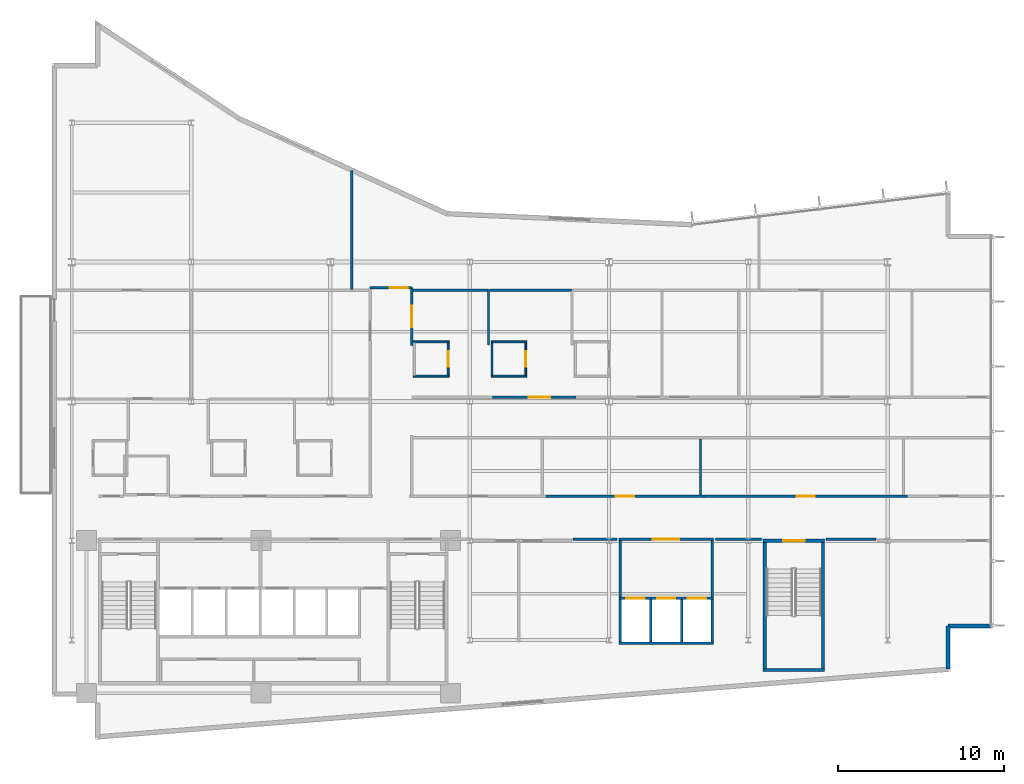
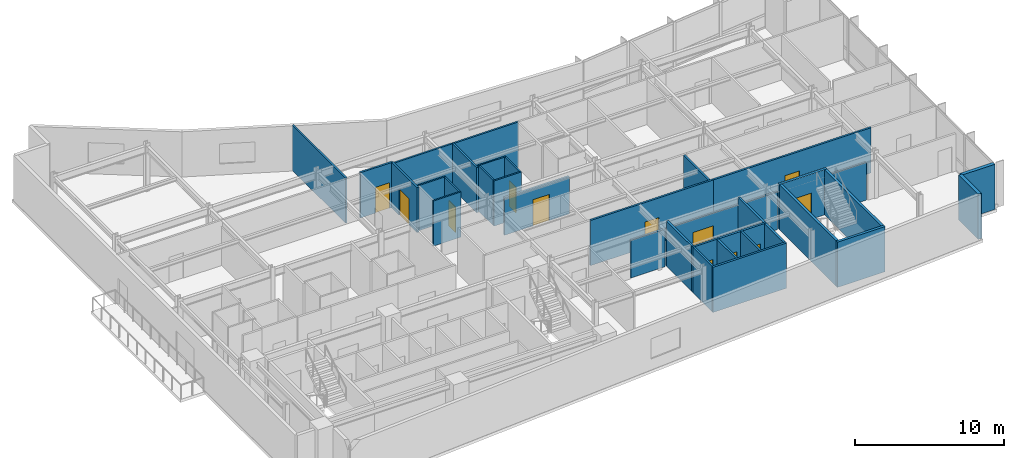
# One storey, part 12 of 18: 37 walls, 12 doors, 12 openings.
"""IFC4 building model written with IfcOpenShell, lengths in metres."""

import ifcopenshell
import ifcopenshell.guid

model = None  # the IFC model being written
_history = None  # IfcOwnerHistory: only IFC2X3 demands one
_inside = {}  # id of a spatial element -> (the spatial element, [elements in it])
_under = {}  # id of a project, library or spatial element -> (it, [spatial elements below it])
_declared = {}  # id of a project -> (the project, [libraries it declares])
_typed = {}  # id of a type object -> (the type object, [elements of that type])
_made_of = {}  # id of a material, layer set ... -> (it, [elements and type objects made of it])


def new_model(schema):
    """Start an empty IFC model of exactly this schema.

    Asked for "IFC4X3", IfcOpenShell would pick the latest addendum, in which some entities
    have other attributes; the version numbers below select the first issue.
    IFC2X3 requires an IfcOwnerHistory on every rooted entity: one is made here for all.
    """
    global model, _history
    if schema == "IFC4X3":
        model = ifcopenshell.file(schema_version=(4, 3, 0, 0))
    else:
        model = ifcopenshell.file(schema=schema)
    _inside.clear()
    _under.clear()
    _declared.clear()
    _typed.clear()
    _made_of.clear()
    _history = None
    if model.schema == "IFC2X3":
        org = make("IfcOrganization", Name="unknown")
        user = make(
            "IfcPersonAndOrganization",
            ThePerson=make("IfcPerson", FamilyName="unknown"),
            TheOrganization=org,
        )
        app = make(
            "IfcApplication",
            ApplicationDeveloper=org,
            Version="unknown",
            ApplicationFullName="unknown",
            ApplicationIdentifier="unknown",
        )
        _history = make(
            "IfcOwnerHistory",
            OwningUser=user,
            OwningApplication=app,
            ChangeAction="ADDED",
            CreationDate=0,
        )
    return model


def make(cls, **values):
    """One entity of the class cls with the attributes given. An attribute that is None is left unset."""
    return model.create_entity(
        cls, **{name: value for name, value in values.items() if value is not None}
    )


def rooted(cls, **values):
    """An entity with a GlobalId (a new one), such as an element, a storey or a relation."""
    return make(cls, GlobalId=ifcopenshell.guid.new(), OwnerHistory=_history, **values)


def si_unit(unit_type, name, prefix=None):
    """IfcSIUnit, for example si_unit("LENGTHUNIT", "METRE", prefix="MILLI")."""
    return make("IfcSIUnit", UnitType=unit_type, Prefix=prefix, Name=name)


def assignment(units):
    """IfcUnitAssignment: the units of a project."""
    return None if units is None else make("IfcUnitAssignment", Units=units)


def point(xyz):
    """IfcCartesianPoint."""
    return None if xyz is None else make("IfcCartesianPoint", Coordinates=xyz)


def direction(xyz):
    """IfcDirection."""
    return None if xyz is None else make("IfcDirection", DirectionRatios=xyz)


def frame(location, z_axis=None, x_axis=None):
    """IfcAxis2Placement3D, a coordinate frame: its origin and axes. An axis left out is left unset."""
    return make(
        "IfcAxis2Placement3D",
        Location=point(location),
        Axis=direction(z_axis),
        RefDirection=direction(x_axis),
    )


def frame_2d(location, x_axis=None):
    """IfcAxis2Placement2D, a coordinate frame in the plane: its origin and x axis."""
    return make(
        "IfcAxis2Placement2D", Location=point(location), RefDirection=direction(x_axis)
    )


def origin():
    """The frame at (0, 0, 0) with its axes left unset."""
    return frame((0.0, 0.0, 0.0))


def place(relative_to, where):
    """IfcLocalPlacement: puts the frame where relative to a parent placement (None: the world)."""
    return make(
        "IfcLocalPlacement", PlacementRelTo=relative_to, RelativePlacement=where
    )


def context(
    kind, dimensions, precision=None, world=None, true_north=None, identifier=None
):
    """IfcGeometricRepresentationContext, for example the 3D "Model" context."""
    return make(
        "IfcGeometricRepresentationContext",
        ContextIdentifier=identifier,
        ContextType=kind,
        CoordinateSpaceDimension=dimensions,
        Precision=precision,
        WorldCoordinateSystem=world,
        TrueNorth=true_north,
    )


def subcontext(parent, identifier, kind, view, scale=None):
    """IfcGeometricRepresentationSubContext, for example "Body" below "Model"."""
    return make(
        "IfcGeometricRepresentationSubContext",
        ContextIdentifier=identifier,
        ContextType=kind,
        ParentContext=parent,
        TargetScale=scale,
        TargetView=view,
    )


def project(units=None, contexts=None):
    """IfcProject with its units and contexts."""
    return rooted(
        "IfcProject",
        Name="project",
        RepresentationContexts=contexts,
        UnitsInContext=assignment(units),
    )


def spatial(cls, under=None, at=None, **own):
    """A site, building, storey or space (cls), placed at a placement, below another one or the project."""
    s = rooted(cls, ObjectPlacement=at, **own)
    if under is not None:
        _under.setdefault(under.id(), (under, []))[1].append(s)
    return s


def profile(cls, at=None, kind="AREA", **sizes):
    """A parametric profile (cls). Its sizes go by their IFC names, for example OverallWidth=200.0."""
    return make(cls, ProfileType=kind, Position=at, **sizes)


def rectangle(**sizes):
    """IfcRectangleProfileDef."""
    return profile("IfcRectangleProfileDef", **sizes)


def extrude(swept, where, along, depth):
    """IfcExtrudedAreaSolid: the profile swept, set in the frame where, extruded along a direction by depth."""
    return make(
        "IfcExtrudedAreaSolid",
        SweptArea=swept,
        Position=where,
        ExtrudedDirection=direction(along),
        Depth=depth,
    )


def shape(context_of_items, identifier, shape_type, items):
    """IfcShapeRepresentation: the items that make up one representation, for example the "Body"."""
    return make(
        "IfcShapeRepresentation",
        ContextOfItems=context_of_items,
        RepresentationIdentifier=identifier,
        RepresentationType=shape_type,
        Items=items,
    )


def material(Name=None, Category=None):
    """IfcMaterial."""
    return make("IfcMaterial", Name=Name, Category=Category)


def layer(
    of_material, thickness, ventilated=None, Name=None, Category=None, Priority=None
):
    """IfcMaterialLayer: one layer of a wall or slab, of a material (None: an air gap)."""
    return make(
        "IfcMaterialLayer",
        Material=of_material,
        LayerThickness=thickness,
        IsVentilated=ventilated,
        Name=Name,
        Category=Category,
        Priority=Priority,
    )


def layer_set(layers, Name=None):
    """IfcMaterialLayerSet."""
    return make("IfcMaterialLayerSet", MaterialLayers=layers, LayerSetName=Name)


def made_of(thing, what):
    """Note that an element or type object is made of a material, layer set ...; save() writes the relation."""
    if what is not None:
        _made_of.setdefault(what.id(), (what, []))[1].append(thing)
    return thing


def type_object(cls, material=None, **own):
    """A type object (cls), such as IfcWallType, which elements share."""
    return made_of(rooted(cls, **own), material)


def element(
    cls,
    number,
    at=None,
    inside=None,
    cuts=None,
    type_object=None,
    material=None,
    context=None,
    identifier="Body",
    shape_type=None,
    held_by="IfcProductDefinitionShape",
    body=None,
    shapes=None,
    **own,
):
    """One element of the class cls, such as IfcWall. Its Tag is "e" and its number.

    at: its placement. inside: the storey or other place that contains it. cuts: it is an
    opening in that element (IfcRelVoidsElement). A single representation is given by context,
    identifier, shape_type and body (its items); several are given by shapes. held_by: the class
    of the entity that holds the representations. save() writes the other relations.
    """
    e = rooted(cls, Tag="e%d" % number, ObjectPlacement=at, **own)
    if body is not None:
        shapes = [shape(context, identifier, shape_type, body)]
    if shapes is not None:
        e.Representation = make(held_by, Representations=shapes)
    if inside is not None:
        _inside.setdefault(inside.id(), (inside, []))[1].append(e)
    if cuts is not None:
        rooted(
            "IfcRelVoidsElement", RelatingBuildingElement=cuts, RelatedOpeningElement=e
        )
    if type_object is not None:
        _typed.setdefault(type_object.id(), (type_object, []))[1].append(e)
    return made_of(e, material)


def fill(opening, filler):
    """IfcRelFillsElement: the door or window that sits in an opening."""
    return rooted(
        "IfcRelFillsElement",
        RelatingOpeningElement=opening,
        RelatedBuildingElement=filler,
    )


def aggregate(whole, parts):
    """IfcRelAggregates: a whole, such as a stair, and the parts it consists of."""
    return rooted("IfcRelAggregates", RelatingObject=whole, RelatedObjects=parts)


def save(model, path):
    """Write the relations noted so far, then the file.

    IfcRelAggregates (storeys below a building ...), IfcRelContainedInSpatialStructure (elements
    in a storey), IfcRelDefinesByType, IfcRelAssociatesMaterial and IfcRelDeclares: one each for
    every whole, place, type object, material and project.
    """
    for whole, parts in _under.values():
        aggregate(whole, parts)
    for where, things in _inside.values():
        rooted(
            "IfcRelContainedInSpatialStructure",
            RelatedElements=things,
            RelatingStructure=where,
        )
    for kind, things in _typed.values():
        rooted("IfcRelDefinesByType", RelatedObjects=things, RelatingType=kind)
    for what, things in _made_of.values():
        rooted("IfcRelAssociatesMaterial", RelatedObjects=things, RelatingMaterial=what)
    for by, libraries in _declared.values():
        rooted("IfcRelDeclares", RelatingContext=by, RelatedDefinitions=libraries)
    model.write(path)


model = new_model("IFC4")

# Units and contexts
model_context = context("Model", 3, precision=1e-05, world=origin(), true_north=direction((0.0, 1.0)))
body_context = subcontext(model_context, "Body", "Model", "MODEL_VIEW")
ifc_project = project(units=[si_unit("LENGTHUNIT", "METRE"), si_unit("AREAUNIT", "SQUARE_METRE"), si_unit("VOLUMEUNIT", "CUBIC_METRE"), si_unit("PLANEANGLEUNIT", "RADIAN"), si_unit("MASSUNIT", "GRAM", prefix="KILO")], contexts=[model_context])

# Site, building, storey
site_placement = place(None, origin())
site = spatial("IfcSite", under=ifc_project, at=site_placement, CompositionType="ELEMENT")
building_placement = place(site_placement, origin())
building = spatial("IfcBuilding", under=site, at=building_placement, Name="Varnakote Quay Hospital", CompositionType="ELEMENT")
storey_placement = place(building_placement, frame((0.0, 0.0, 123.10009765625)))
storey = spatial("IfcBuildingStorey", under=building, at=storey_placement, Name="L30", CompositionType="ELEMENT", Elevation=123.10009765625)

# Walls
ifc_material_1 = material(Name="Fire-rated acoustic gypsum stud wall", Category="gypsum")
ifc_layer_1 = layer(ifc_material_1, 0.159912109375)
ifc_layer_set_1 = layer_set([ifc_layer_1], Name="Fire-rated acoustic gypsum stud wall")
wall_type_1 = type_object("IfcWallType", Name="WL-COMP-160", PredefinedType="PARTITIONING", material=ifc_layer_set_1)
for number, where, z_axis, x_axis, name in (
    (1, (34.27001953125, 8.610107421875, 0.0), (0.0, 0.0, 1.0), (0.0, 1.0, 0.0), "L30 Mid-Rise Lift Lobby West Wall"),
    (2, (39.830078125, 8.610107421875, 0.0), (0.0, 0.0, 1.0), (0.0, 1.0, 0.0), "L30 Mid-Rise Lift Lobby East Wall"),
):
    element("IfcWall", number, at=place(storey_placement, frame(where, z_axis=z_axis, x_axis=x_axis)), inside=storey, type_object=wall_type_1, Name=name, PredefinedType="PARTITIONING", context=body_context, shape_type="SweptSolid", body=[
        extrude(rectangle(XDim=3.389892578125, YDim=0.159912109375, at=frame_2d((1.69482421875, 0.0))), origin(), (0.0, 0.0, 1.0), 3.7099609375),
    ])

# Wall, opening, door
wall_1_placement = place(storey_placement, frame((34.18994140625, 12.080078125, 0.0), z_axis=(0.0, 0.0, 1.0), x_axis=(1.0, 0.0, 0.0)))
wall_1 = element("IfcWall", 3, at=wall_1_placement, inside=storey, type_object=wall_type_1, Name="L30 Mid-Rise Lift Lobby North Wall", PredefinedType="PARTITIONING", context=body_context, shape_type="SweptSolid", body=[
    extrude(rectangle(XDim=5.719970703125, YDim=0.159912109375, at=frame_2d((2.85986328125, 0.0))), origin(), (0.0, 0.0, 1.0), 3.0830078125),
])
opening_1_placement = place(wall_1_placement, frame((2.06005859375, 0.0, 0.0)))
opening_1 = element("IfcOpeningElement", 4, at=opening_1_placement, cuts=wall_1, Name="Opening D-PML-L30", PredefinedType="OPENING", context=body_context, shape_type="SweptSolid", body=[
    extrude(rectangle(XDim=1.60009765625, YDim=2.050048828125, at=frame_2d((0.800048828125, 1.02490234375))), frame((0.0, 0.08984375, 0.0), z_axis=(0.0, -1.0, 0.0), x_axis=(1.0, 0.0, 0.0)), (0.0, 0.0, 1.0), 0.179931640625),
])
ifc_material_2 = material(Name="Fire-rated double smoke lobby door")
door_type_1 = type_object("IfcDoorType", Name="DR-LOBBY-FD60S-1600x2150", OperationType="NOTDEFINED", PredefinedType="DOOR", material=ifc_material_2)
door_1_placement = place(opening_1_placement, origin())
door_1 = element("IfcDoor", 5, at=door_1_placement, inside=storey, type_object=door_type_1, Name="L30 Mid-Rise Passenger Concourse Vestibule Door", OperationType="DOUBLE_DOOR_SINGLE_SWING", OverallHeight=2.050048828125, OverallWidth=1.60009765625, PredefinedType="DOOR", context=body_context, shape_type="SweptSolid", body=[
    extrude(rectangle(XDim=1.60009765625, YDim=2.050048828125, at=frame_2d((0.800048828125, 1.02490234375))), frame((0.0, 0.02490234375, 0.0), z_axis=(0.0, -1.0, 0.0), x_axis=(1.0, 0.0, 0.0)), (0.0, 0.0, 1.0), 0.050048828125),
])
fill(opening_1, door_1)

# Walls
wall_2_placement = place(storey_placement, frame((31.439208984375, 12.080078125, 0.0), z_axis=(0.0, 0.0, 1.0), x_axis=(1.0, 0.0, 0.0)))
element("IfcWall", 6, at=wall_2_placement, inside=storey, type_object=wall_type_1, Name="L30 Corridor South Gap Wall", PredefinedType="PARTITIONING", context=body_context, shape_type="SweptSolid", body=[
    extrude(rectangle(XDim=2.630859375, YDim=0.159912109375, at=frame_2d((1.3154296875, 0.0))), origin(), (0.0, 0.0, 1.0), 3.0830078125),
])
wall_3_placement = place(storey_placement, frame((40.030029296875, 12.080078125, 0.0), z_axis=(0.0, 0.0, 1.0), x_axis=(1.0, 0.0, 0.0)))
element("IfcWall", 7, at=wall_3_placement, inside=storey, type_object=wall_type_1, Name="L30 Corridor South Gap Wall", PredefinedType="PARTITIONING", context=body_context, shape_type="SweptSolid", body=[
    extrude(rectangle(XDim=2.78076171875, YDim=0.159912109375, at=frame_2d((1.390380859375, 0.0))), origin(), (0.0, 0.0, 1.0), 3.0830078125),
])
wall_4_placement = place(storey_placement, frame((46.689208984375, 12.080078125, 0.0), z_axis=(0.0, 0.0, 1.0), x_axis=(1.0, 0.0, 0.0)))
element("IfcWall", 8, at=wall_4_placement, inside=storey, type_object=wall_type_1, Name="L30 Corridor South Gap Wall", PredefinedType="PARTITIONING", context=body_context, shape_type="SweptSolid", body=[
    extrude(rectangle(XDim=3.0107421875, YDim=0.159912109375, at=frame_2d((1.50537109375, 0.0))), origin(), (0.0, 0.0, 1.0), 3.0830078125),
])
ifc_material_3 = material(Name="Moisture-resistant bathroom partition", Category="gypsum")
ifc_layer_2 = layer(ifc_material_3, 0.114990234375)
ifc_layer_set_2 = layer_set([ifc_layer_2], Name="Moisture-resistant bathroom partition")
wall_type_2 = type_object("IfcWallType", Name="WL-ENS-115", PredefinedType="PARTITIONING", material=ifc_layer_set_2)
for number, where, z_axis, x_axis, name in (
    (9, (21.804931640625, 21.922607421875, 0.0), (0.0, 0.0, 1.0), (1.0, 0.0, 0.0), "L30 Inpatient En-Suite Bathroom 04 S Wall"),
    (10, (21.804931640625, 23.987548828125, 0.0), (0.0, 0.0, 1.0), (1.0, 0.0, 0.0), "L30 Inpatient En-Suite Bathroom 04 N Wall"),
):
    element("IfcWall", number, at=place(storey_placement, frame(where, z_axis=z_axis, x_axis=x_axis)), inside=storey, type_object=wall_type_2, Name=name, PredefinedType="PARTITIONING", context=body_context, shape_type="SweptSolid", body=[
        extrude(rectangle(XDim=2.150146484375, YDim=0.114990234375, at=frame_2d((1.0751953125, 0.0))), origin(), (0.0, 0.0, 1.0), 3.7099609375),
    ])

# Wall, opening, door
wall_5_placement = place(storey_placement, frame((23.8974609375, 21.97998046875, 0.0), z_axis=(0.0, 0.0, 1.0), x_axis=(0.0, 1.0, 0.0)))
wall_5 = element("IfcWall", 11, at=wall_5_placement, inside=storey, type_object=wall_type_2, Name="L30 Inpatient En-Suite Bathroom 04 E Wall", PredefinedType="PARTITIONING", context=body_context, shape_type="SweptSolid", body=[
    extrude(rectangle(XDim=1.949951171875, YDim=0.114990234375, at=frame_2d((0.97509765625, 0.0))), origin(), (0.0, 0.0, 1.0), 3.7099609375),
])
opening_2_placement = place(wall_5_placement, frame((0.514892578125, 0.0, 0.0)))
opening_2 = element("IfcOpeningElement", 12, at=opening_2_placement, cuts=wall_5, Name="Opening D-L30-ENS04", PredefinedType="OPENING", context=body_context, shape_type="SweptSolid", body=[
    extrude(rectangle(XDim=0.919921875, YDim=2.10009765625, at=frame_2d((0.4599609375, 1.050048828125))), frame((0.0, 0.0673828125, 0.0), z_axis=(0.0, -1.0, 0.0), x_axis=(1.0, 0.0, 0.0)), (0.0, 0.0, 1.0), 0.135009765625),
])
ifc_material_4 = material(Name="Moisture-sealed en-suite bathroom door")
door_type_2 = type_object("IfcDoorType", Name="DR-ENS-920x2100", OperationType="NOTDEFINED", PredefinedType="DOOR", material=ifc_material_4)
door_2_placement = place(opening_2_placement, origin())
door_2 = element("IfcDoor", 13, at=door_2_placement, inside=storey, type_object=door_type_2, Name="L30 Inpatient En-Suite Bathroom 04 Door", OperationType="SINGLE_SWING_LEFT", OverallHeight=2.10009765625, OverallWidth=0.919921875, PredefinedType="DOOR", context=body_context, shape_type="SweptSolid", body=[
    extrude(rectangle(XDim=0.919921875, YDim=2.10009765625, at=frame_2d((0.4599609375, 1.050048828125))), frame((0.0, 0.02490234375, 0.0), z_axis=(0.0, -1.0, 0.0), x_axis=(1.0, 0.0, 0.0)), (0.0, 0.0, 1.0), 0.050048828125),
])
fill(opening_2, door_2)

# Walls
for number, where, z_axis, x_axis, name in (
    (14, (26.485107421875, 21.922607421875, 0.0), (0.0, 0.0, 1.0), (1.0, 0.0, 0.0), "L30 Inpatient En-Suite Bathroom 05 S Wall"),
    (15, (26.485107421875, 23.987548828125, 0.0), (0.0, 0.0, 1.0), (1.0, 0.0, 0.0), "L30 Inpatient En-Suite Bathroom 05 N Wall"),
):
    element("IfcWall", number, at=place(storey_placement, frame(where, z_axis=z_axis, x_axis=x_axis)), inside=storey, type_object=wall_type_2, Name=name, PredefinedType="PARTITIONING", context=body_context, shape_type="SweptSolid", body=[
        extrude(rectangle(XDim=2.14990234375, YDim=0.114990234375, at=frame_2d((1.074951171875, 0.0))), origin(), (0.0, 0.0, 1.0), 3.7099609375),
    ])
wall_6_placement = place(storey_placement, frame((26.54248046875, 21.97998046875, 0.0), z_axis=(0.0, 0.0, 1.0), x_axis=(0.0, 1.0, 0.0)))
element("IfcWall", 16, at=wall_6_placement, inside=storey, type_object=wall_type_2, Name="L30 Inpatient En-Suite Bathroom 05 W Wall", PredefinedType="PARTITIONING", context=body_context, shape_type="SweptSolid", body=[
    extrude(rectangle(XDim=1.949951171875, YDim=0.114990234375, at=frame_2d((0.97509765625, 0.0))), origin(), (0.0, 0.0, 1.0), 3.7099609375),
])

# Wall, opening, door
wall_7_placement = place(storey_placement, frame((28.577392578125, 21.97998046875, 0.0), z_axis=(0.0, 0.0, 1.0), x_axis=(0.0, 1.0, 0.0)))
wall_7 = element("IfcWall", 17, at=wall_7_placement, inside=storey, type_object=wall_type_2, Name="L30 Inpatient En-Suite Bathroom 05 E Wall", PredefinedType="PARTITIONING", context=body_context, shape_type="SweptSolid", body=[
    extrude(rectangle(XDim=1.949951171875, YDim=0.114990234375, at=frame_2d((0.97509765625, 0.0))), origin(), (0.0, 0.0, 1.0), 3.7099609375),
])
opening_3_placement = place(wall_7_placement, frame((0.514892578125, 0.0, 0.0)))
opening_3 = element("IfcOpeningElement", 18, at=opening_3_placement, cuts=wall_7, Name="Opening D-L30-ENS05", PredefinedType="OPENING", context=body_context, shape_type="SweptSolid", body=[
    extrude(rectangle(XDim=0.919921875, YDim=2.10009765625, at=frame_2d((0.4599609375, 1.050048828125))), frame((0.0, 0.0673828125, 0.0), z_axis=(0.0, -1.0, 0.0), x_axis=(1.0, 0.0, 0.0)), (0.0, 0.0, 1.0), 0.135009765625),
])
door_3_placement = place(opening_3_placement, origin())
door_3 = element("IfcDoor", 19, at=door_3_placement, inside=storey, type_object=door_type_2, Name="L30 Inpatient En-Suite Bathroom 05 Door", OperationType="SINGLE_SWING_RIGHT", OverallHeight=2.10009765625, OverallWidth=0.919921875, PredefinedType="DOOR", context=body_context, shape_type="SweptSolid", body=[
    extrude(rectangle(XDim=0.919921875, YDim=2.10009765625, at=frame_2d((0.4599609375, 1.050048828125))), frame((0.0, 0.02490234375, 0.0), z_axis=(0.0, -1.0, 0.0), x_axis=(1.0, 0.0, 0.0)), (0.0, 0.0, 1.0), 0.050048828125),
])
fill(opening_3, door_3)

# Walls
ifc_material_5 = material(Name="Precast concrete N50 (f'c 50 MPa)", Category="concrete")
ifc_layer_3 = layer(ifc_material_5, 0.260009765625)
ifc_layer_set_3 = layer_set([ifc_layer_3], Name="Precast concrete N50 (f'c 50 MPa)")
wall_type_3 = type_object("IfcWallType", Name="WL-EXT-BRICK-260", PredefinedType="STANDARD", material=ifc_layer_set_3)
wall_8_placement = place(storey_placement, frame((54.0400390625, 4.247802734375, 0.0), z_axis=(0.0, 0.0, 1.0), x_axis=(0.0, 1.0, 0.0)))
element("IfcWall", 20, at=wall_8_placement, inside=storey, type_object=wall_type_3, Name="L30 Brick-Faced Precast Exterior Wall", PredefinedType="STANDARD", context=body_context, shape_type="SweptSolid", body=[
    extrude(rectangle(XDim=2.6123046875, YDim=0.260009765625, at=frame_2d((1.30615234375, 0.0))), origin(), (0.0, 0.0, 1.0), 3.7099609375),
])
wall_9_placement = place(storey_placement, frame((54.0400390625, 6.860107421875, 0.0), z_axis=(0.0, 0.0, 1.0), x_axis=(1.0, 0.0, 0.0)))
element("IfcWall", 21, at=wall_9_placement, inside=storey, type_object=wall_type_3, Name="L30 Brick-Faced Precast Exterior Wall", PredefinedType="STANDARD", context=body_context, shape_type="SweptSolid", body=[
    extrude(rectangle(XDim=2.599853515625, YDim=0.260009765625, at=frame_2d((1.2998046875, 0.0))), origin(), (0.0, 0.0, 1.0), 3.7099609375),
])
ifc_material_6 = material(Name="Concrete N50 (f'c 50 MPa)", Category="concrete")
ifc_layer_4 = layer(ifc_material_6, 0.14990234375)
ifc_layer_set_4 = layer_set([ifc_layer_4], Name="Concrete N50 (f'c 50 MPa)")
wall_type_4 = type_object("IfcWallType", Name="WL-SHAFT-N50-150", PredefinedType="SHEAR", material=ifc_layer_set_4)
for number, where, z_axis, x_axis, name in (
    (22, (36.125, 5.89990234375, 0.0), (0.0, 0.0, 1.0), (0.0, 1.0, 0.0), "L30 LF-PM1 Hoistway Divider Wall"),
    (23, (37.97509765625, 5.89990234375, 0.0), (0.0, 0.0, 1.0), (0.0, 1.0, 0.0), "L30 LF-PM2 Hoistway Divider Wall"),
):
    element("IfcWall", number, at=place(storey_placement, frame(where, z_axis=z_axis, x_axis=x_axis)), inside=storey, type_object=wall_type_4, Name=name, PredefinedType="SHEAR", context=body_context, shape_type="SweptSolid", body=[
        extrude(rectangle(XDim=2.550048828125, YDim=0.14990234375, at=frame_2d((1.27490234375, 0.0))), origin(), (0.0, 0.0, 1.0), 3.7099609375),
    ])
ifc_material_7 = material(Name="Concrete N50 (f'c 50 MPa)", Category="concrete")
ifc_layer_5 = layer(ifc_material_7, 0.159912109375)
ifc_layer_set_5 = layer_set([ifc_layer_5], Name="Concrete N50 (f'c 50 MPa)")
wall_type_5 = type_object("IfcWallType", Name="WL-SHAFT-N50-160", PredefinedType="SHEAR", material=ifc_layer_set_5)
wall_10_placement = place(storey_placement, frame((34.18994140625, 5.820068359375, 0.0), z_axis=(0.0, 0.0, 1.0), x_axis=(1.0, 0.0, 0.0)))
element("IfcWall", 24, at=wall_10_placement, inside=storey, type_object=wall_type_5, Name="L30 MID Lift Bank Back Shear Wall", PredefinedType="SHEAR", context=body_context, shape_type="SweptSolid", body=[
    extrude(rectangle(XDim=5.719970703125, YDim=0.159912109375, at=frame_2d((2.85986328125, 0.0))), origin(), (0.0, 0.0, 1.0), 3.7099609375),
])
for number, where, z_axis, x_axis, name in (
    (25, (34.27001953125, 5.89990234375, 0.0), (0.0, 0.0, 1.0), (0.0, 1.0, 0.0), "L30 MID Lift Bank West Shear Wall"),
    (26, (39.830078125, 5.89990234375, 0.0), (0.0, 0.0, 1.0), (0.0, 1.0, 0.0), "L30 MID Lift Bank East Shear Wall"),
):
    element("IfcWall", number, at=place(storey_placement, frame(where, z_axis=z_axis, x_axis=x_axis)), inside=storey, type_object=wall_type_5, Name=name, PredefinedType="SHEAR", context=body_context, shape_type="SweptSolid", body=[
        extrude(rectangle(XDim=2.550048828125, YDim=0.159912109375, at=frame_2d((1.27490234375, 0.0))), origin(), (0.0, 0.0, 1.0), 3.7099609375),
    ])

# Wall, opening, door
wall_11_placement = place(storey_placement, frame((34.18994140625, 8.530029296875, 0.0), z_axis=(0.0, 0.0, 1.0), x_axis=(1.0, 0.0, 0.0)))
wall_11 = element("IfcWall", 27, at=wall_11_placement, inside=storey, type_object=wall_type_5, Name="L30 LF-PM1 Hoistway Front Wall", PredefinedType="SHEAR", context=body_context, shape_type="SweptSolid", body=[
    extrude(rectangle(XDim=1.93505859375, YDim=0.159912109375, at=frame_2d((0.967529296875, 0.0))), origin(), (0.0, 0.0, 1.0), 3.7099609375),
])
opening_4_placement = place(wall_11_placement, frame((0.4599609375, 0.0, 0.0)))
opening_4 = element("IfcOpeningElement", 28, at=opening_4_placement, cuts=wall_11, Name="Opening LD-PM1-L30", PredefinedType="OPENING", context=body_context, shape_type="SweptSolid", body=[
    extrude(rectangle(XDim=1.10009765625, YDim=2.14990234375, at=frame_2d((0.550048828125, 1.074951171875))), frame((0.0, 0.08984375, 0.0), z_axis=(0.0, -1.0, 0.0), x_axis=(1.0, 0.0, 0.0)), (0.0, 0.0, 1.0), 0.179931640625),
])
ifc_material_8 = material(Name="Brushed bronze lift landing sliding door")
door_type_3 = type_object("IfcDoorType", Name="DR-LIFT-LD-1100x2150", OperationType="NOTDEFINED", PredefinedType="DOOR", material=ifc_material_8)
door_4_placement = place(opening_4_placement, origin())
door_4 = element("IfcDoor", 29, at=door_4_placement, inside=storey, type_object=door_type_3, Name="L30 LF-PM1 Lift Landing Sliding Door", OperationType="SLIDING_TO_LEFT", OverallHeight=2.14990234375, OverallWidth=1.10009765625, PredefinedType="DOOR", context=body_context, shape_type="SweptSolid", body=[
    extrude(rectangle(XDim=1.10009765625, YDim=2.14990234375, at=frame_2d((0.550048828125, 1.074951171875))), frame((0.0, 0.02490234375, 0.0), z_axis=(0.0, -1.0, 0.0), x_axis=(1.0, 0.0, 0.0)), (0.0, 0.0, 1.0), 0.050048828125),
])
fill(opening_4, door_4)

wall_12_placement = place(storey_placement, frame((36.125, 8.530029296875, 0.0), z_axis=(0.0, 0.0, 1.0), x_axis=(1.0, 0.0, 0.0)))
wall_12 = element("IfcWall", 30, at=wall_12_placement, inside=storey, type_object=wall_type_5, Name="L30 LF-PM2 Hoistway Front Wall", PredefinedType="SHEAR", context=body_context, shape_type="SweptSolid", body=[
    extrude(rectangle(XDim=1.85009765625, YDim=0.159912109375, at=frame_2d((0.925048828125, 0.0))), origin(), (0.0, 0.0, 1.0), 3.7099609375),
])
opening_5_placement = place(wall_12_placement, frame((0.375, 0.0, 0.0)))
opening_5 = element("IfcOpeningElement", 31, at=opening_5_placement, cuts=wall_12, Name="Opening LD-PM2-L30", PredefinedType="OPENING", context=body_context, shape_type="SweptSolid", body=[
    extrude(rectangle(XDim=1.10009765625, YDim=2.14990234375, at=frame_2d((0.550048828125, 1.074951171875))), frame((0.0, 0.08984375, 0.0), z_axis=(0.0, -1.0, 0.0), x_axis=(1.0, 0.0, 0.0)), (0.0, 0.0, 1.0), 0.179931640625),
])
door_5_placement = place(opening_5_placement, origin())
door_5 = element("IfcDoor", 32, at=door_5_placement, inside=storey, type_object=door_type_3, Name="L30 LF-PM2 Lift Landing Sliding Door", OperationType="SLIDING_TO_LEFT", OverallHeight=2.14990234375, OverallWidth=1.10009765625, PredefinedType="DOOR", context=body_context, shape_type="SweptSolid", body=[
    extrude(rectangle(XDim=1.10009765625, YDim=2.14990234375, at=frame_2d((0.550048828125, 1.074951171875))), frame((0.0, 0.02490234375, 0.0), z_axis=(0.0, -1.0, 0.0), x_axis=(1.0, 0.0, 0.0)), (0.0, 0.0, 1.0), 0.050048828125),
])
fill(opening_5, door_5)

wall_13_placement = place(storey_placement, frame((37.97509765625, 8.530029296875, 0.0), z_axis=(0.0, 0.0, 1.0), x_axis=(1.0, 0.0, 0.0)))
wall_13 = element("IfcWall", 33, at=wall_13_placement, inside=storey, type_object=wall_type_5, Name="L30 LF-PM3 Hoistway Front Wall", PredefinedType="SHEAR", context=body_context, shape_type="SweptSolid", body=[
    extrude(rectangle(XDim=1.934814453125, YDim=0.159912109375, at=frame_2d((0.96728515625, 0.0))), origin(), (0.0, 0.0, 1.0), 3.7099609375),
])
opening_6_placement = place(wall_13_placement, frame((0.375, 0.0, 0.0)))
opening_6 = element("IfcOpeningElement", 34, at=opening_6_placement, cuts=wall_13, Name="Opening LD-PM3-L30", PredefinedType="OPENING", context=body_context, shape_type="SweptSolid", body=[
    extrude(rectangle(XDim=1.10009765625, YDim=2.14990234375, at=frame_2d((0.550048828125, 1.074951171875))), frame((0.0, 0.08984375, 0.0), z_axis=(0.0, -1.0, 0.0), x_axis=(1.0, 0.0, 0.0)), (0.0, 0.0, 1.0), 0.179931640625),
])
door_6_placement = place(opening_6_placement, origin())
door_6 = element("IfcDoor", 35, at=door_6_placement, inside=storey, type_object=door_type_3, Name="L30 LF-PM3 Lift Landing Sliding Door", OperationType="SLIDING_TO_LEFT", OverallHeight=2.14990234375, OverallWidth=1.10009765625, PredefinedType="DOOR", context=body_context, shape_type="SweptSolid", body=[
    extrude(rectangle(XDim=1.10009765625, YDim=2.14990234375, at=frame_2d((0.550048828125, 1.074951171875))), frame((0.0, 0.02490234375, 0.0), z_axis=(0.0, -1.0, 0.0), x_axis=(1.0, 0.0, 0.0)), (0.0, 0.0, 1.0), 0.050048828125),
])
fill(opening_6, door_6)

# Walls
ifc_material_9 = material(Name="Concrete N50 (f'c 50 MPa)", Category="concrete")
ifc_layer_6 = layer(ifc_material_9, 0.199951171875)
ifc_layer_set_6 = layer_set([ifc_layer_6], Name="Concrete N50 (f'c 50 MPa)")
wall_type_6 = type_object("IfcWallType", Name="WL-SHAFT-N50-200", PredefinedType="SHEAR", material=ifc_layer_set_6)
wall_14_placement = place(storey_placement, frame((42.89990234375, 4.199951171875, 0.0), z_axis=(0.0, 0.0, 1.0), x_axis=(1.0, 0.0, 0.0)))
element("IfcWall", 36, at=wall_14_placement, inside=storey, type_object=wall_type_6, Name="L30 Stair ST3 South Shaft Wall", PredefinedType="SHEAR", context=body_context, shape_type="SweptSolid", body=[
    extrude(rectangle(XDim=3.7001953125, YDim=0.199951171875, at=frame_2d((1.85009765625, 0.0))), origin(), (0.0, 0.0, 1.0), 3.7099609375),
])
for number, where, z_axis, x_axis, name in (
    (37, (43.0, 4.300048828125, 0.0), (0.0, 0.0, 1.0), (0.0, 1.0, 0.0), "L30 Stair ST3 West Shaft Wall"),
    (38, (46.5, 4.300048828125, 0.0), (0.0, 0.0, 1.0), (0.0, 1.0, 0.0), "L30 Stair ST3 East Shaft Wall"),
):
    element("IfcWall", number, at=place(storey_placement, frame(where, z_axis=z_axis, x_axis=x_axis)), inside=storey, type_object=wall_type_6, Name=name, PredefinedType="SHEAR", context=body_context, shape_type="SweptSolid", body=[
        extrude(rectangle(XDim=7.599853515625, YDim=0.199951171875, at=frame_2d((3.7998046875, 0.0))), origin(), (0.0, 0.0, 1.0), 3.7099609375),
    ])

# Wall, opening, door
wall_15_placement = place(storey_placement, frame((42.89990234375, 12.0, 0.0), z_axis=(0.0, 0.0, 1.0), x_axis=(1.0, 0.0, 0.0)))
wall_15 = element("IfcWall", 39, at=wall_15_placement, inside=storey, type_object=wall_type_6, Name="L30 Stair ST3 Exit Wall", PredefinedType="SHEAR", context=body_context, shape_type="SweptSolid", body=[
    extrude(rectangle(XDim=3.7001953125, YDim=0.199951171875, at=frame_2d((1.85009765625, 0.0))), origin(), (0.0, 0.0, 1.0), 3.7099609375),
])
opening_7_placement = place(wall_15_placement, frame((1.199951171875, 0.0, 0.0)))
opening_7 = element("IfcOpeningElement", 40, at=opening_7_placement, cuts=wall_15, Name="Opening D-ST3-L30", PredefinedType="OPENING", context=body_context, shape_type="SweptSolid", body=[
    extrude(rectangle(XDim=1.300048828125, YDim=2.14990234375, at=frame_2d((0.64990234375, 1.074951171875))), frame((0.0, 0.10986328125, 0.0), z_axis=(0.0, -1.0, 0.0), x_axis=(1.0, 0.0, 0.0)), (0.0, 0.0, 1.0), 0.219970703125),
])
ifc_material_10 = material(Name="Fire-rated ceramic-glazed timber exit door", Category="wood")
door_type_4 = type_object("IfcDoorType", Name="DR-STAIR-FD60S-1300x2150", OperationType="NOTDEFINED", PredefinedType="DOOR", material=ifc_material_10)
door_7_placement = place(opening_7_placement, origin())
door_7 = element("IfcDoor", 41, at=door_7_placement, inside=storey, type_object=door_type_4, Name="L30 Stair ST3 Fire Exit Door", OperationType="SINGLE_SWING_LEFT", OverallHeight=2.14990234375, OverallWidth=1.300048828125, PredefinedType="DOOR", context=body_context, shape_type="SweptSolid", body=[
    extrude(rectangle(XDim=1.300048828125, YDim=2.14990234375, at=frame_2d((0.64990234375, 1.074951171875))), frame((0.0, 0.02490234375, 0.0), z_axis=(0.0, -1.0, 0.0), x_axis=(1.0, 0.0, 0.0)), (0.0, 0.0, 1.0), 0.050048828125),
])
fill(opening_7, door_7)

# Walls
ifc_material_11 = material(Name="Smoke-proof clinical partition", Category="gypsum")
ifc_layer_7 = layer(ifc_material_11, 0.135009765625)
ifc_layer_set_7 = layer_set([ifc_layer_7], Name="Smoke-proof clinical partition")
wall_type_7 = type_object("IfcWallType", Name="WL-SMOKE-135", PredefinedType="PARTITIONING", material=ifc_layer_set_7)
wall_16_placement = place(storey_placement, frame((39.110107421875, 14.760009765625, 0.0), z_axis=(0.0, 0.0, 1.0), x_axis=(0.0, 1.0, 0.0)))
element("IfcWall", 42, at=wall_16_placement, inside=storey, type_object=wall_type_7, Name="L30 Clinical Interior Partition", PredefinedType="PARTITIONING", context=body_context, shape_type="SweptSolid", body=[
    extrude(rectangle(XDim=3.360107421875, YDim=0.135009765625, at=frame_2d((1.68017578125, 0.0))), origin(), (0.0, 0.0, 1.0), 3.7099609375),
])
wall_17_placement = place(storey_placement, frame((26.340087890625, 23.802490234375, 0.0), z_axis=(0.0, 0.0, 1.0), x_axis=(0.0, 1.0, 0.0)))
element("IfcWall", 43, at=wall_17_placement, inside=storey, type_object=wall_type_7, Name="L30 Clinical Interior Partition", PredefinedType="PARTITIONING", context=body_context, shape_type="SweptSolid", body=[
    extrude(rectangle(XDim=3.297607421875, YDim=0.135009765625, at=frame_2d((1.64892578125, 0.0))), origin(), (0.0, 0.0, 1.0), 3.7099609375),
])
wall_18_placement = place(storey_placement, frame((26.340087890625, 27.10009765625, 0.0), z_axis=(0.0, 0.0, 1.0), x_axis=(-1.0, 0.0, 0.0)))
element("IfcWall", 44, at=wall_18_placement, inside=storey, type_object=wall_type_7, Name="L30 Clinical Interior Partition", PredefinedType="PARTITIONING", context=body_context, shape_type="SweptSolid", body=[
    extrude(rectangle(XDim=4.5751953125, YDim=0.135009765625, at=frame_2d((2.28759765625, 0.0))), origin(), (0.0, 0.0, 1.0), 3.7099609375),
])
wall_19_placement = place(storey_placement, frame((31.3701171875, 27.10009765625, 0.0), z_axis=(0.0, 0.0, 1.0), x_axis=(-1.0, 0.0, 0.0)))
element("IfcWall", 45, at=wall_19_placement, inside=storey, type_object=wall_type_7, Name="L30 Clinical Interior Partition", PredefinedType="PARTITIONING", context=body_context, shape_type="SweptSolid", body=[
    extrude(rectangle(XDim=4.97265625, YDim=0.135009765625, at=frame_2d((2.486328125, 0.0))), origin(), (0.0, 0.0, 1.0), 3.7099609375),
])
wall_20_placement = place(storey_placement, frame((18.090087890625, 27.157470703125, 0.0), z_axis=(0.0, 0.0, 1.0), x_axis=(0.0, 1.0, 0.0)))
element("IfcWall", 46, at=wall_20_placement, inside=storey, type_object=wall_type_7, Name="L30 Clinical Interior Partition", PredefinedType="PARTITIONING", context=body_context, shape_type="SweptSolid", body=[
    extrude(rectangle(XDim=7.180908203125, YDim=0.135009765625, at=frame_2d((3.59033203125, 0.0))), origin(), (0.0, 0.0, 1.0), 3.7099609375),
])

# Wall, opening, door
ifc_material_12 = material(Name="Fire-rated clinical gypsum partition", Category="gypsum")
ifc_layer_8 = layer(ifc_material_12, 0.14990234375)
ifc_layer_set_8 = layer_set([ifc_layer_8], Name="Fire-rated clinical gypsum partition")
wall_type_8 = type_object("IfcWallType", Name="WL-WARD-150", PredefinedType="PARTITIONING", material=ifc_layer_set_8)
wall_21_placement = place(storey_placement, frame((39.3359375, 14.679931640625, 0.0), z_axis=(0.0, 0.0, 1.0), x_axis=(-1.0, 0.0, 0.0)))
wall_21 = element("IfcWall", 47, at=wall_21_placement, inside=storey, type_object=wall_type_8, Name="L30 Clinical Interior Partition", PredefinedType="PARTITIONING", context=body_context, shape_type="SweptSolid", body=[
    extrude(rectangle(XDim=9.52783203125, YDim=0.14990234375, at=frame_2d((4.763916015625, 0.0))), origin(), (0.0, 0.0, 1.0), 3.7099609375),
])
opening_8_placement = place(wall_21_placement, frame((4.214111328125, 0.0, 0.0)))
opening_8 = element("IfcOpeningElement", 48, at=opening_8_placement, cuts=wall_21, Name="Opening D-L30-MD03", PredefinedType="OPENING", context=body_context, shape_type="SweptSolid", body=[
    extrude(rectangle(XDim=1.10009765625, YDim=2.10009765625, at=frame_2d((0.550048828125, 1.050048828125))), frame((0.0, 0.0849609375, 0.0), z_axis=(0.0, -1.0, 0.0), x_axis=(1.0, 0.0, 0.0)), (0.0, 0.0, 1.0), 0.169921875),
])
ifc_material_13 = material(Name="Acoustic timber clinical consult door", Category="wood")
door_type_5 = type_object("IfcDoorType", Name="DR-CLIN-FD30S-1100x2100", OperationType="NOTDEFINED", PredefinedType="DOOR", material=ifc_material_13)
door_8_placement = place(opening_8_placement, origin())
door_8 = element("IfcDoor", 49, at=door_8_placement, inside=storey, type_object=door_type_5, Name="L30 Perinatal Clinical Consultation Suite Door", OperationType="SINGLE_SWING_RIGHT", OverallHeight=2.10009765625, OverallWidth=1.10009765625, PredefinedType="DOOR", context=body_context, shape_type="SweptSolid", body=[
    extrude(rectangle(XDim=1.10009765625, YDim=2.10009765625, at=frame_2d((0.550048828125, 1.050048828125))), frame((0.0, 0.02490234375, 0.0), z_axis=(0.0, -1.0, 0.0), x_axis=(1.0, 0.0, 0.0)), (0.0, 0.0, 1.0), 0.050048828125),
])
fill(opening_8, door_8)

wall_22_placement = place(storey_placement, frame((51.5859375, 14.679931640625, 0.0), z_axis=(0.0, 0.0, 1.0), x_axis=(-1.0, 0.0, 0.0)))
wall_22 = element("IfcWall", 50, at=wall_22_placement, inside=storey, type_object=wall_type_8, Name="L30 Clinical Interior Partition", PredefinedType="PARTITIONING", context=body_context, shape_type="SweptSolid", body=[
    extrude(rectangle(XDim=12.248046875, YDim=0.14990234375, at=frame_2d((6.1240234375, 0.0))), origin(), (0.0, 0.0, 1.0), 3.7099609375),
])
opening_9_placement = place(wall_22_placement, frame((5.573974609375, 0.0, 0.0)))
opening_9 = element("IfcOpeningElement", 51, at=opening_9_placement, cuts=wall_22, Name="Opening D-L30-MD04", PredefinedType="OPENING", context=body_context, shape_type="SweptSolid", body=[
    extrude(rectangle(XDim=1.10009765625, YDim=2.10009765625, at=frame_2d((0.550048828125, 1.050048828125))), frame((0.0, 0.0849609375, 0.0), z_axis=(0.0, -1.0, 0.0), x_axis=(1.0, 0.0, 0.0)), (0.0, 0.0, 1.0), 0.169921875),
])
door_9_placement = place(opening_9_placement, origin())
door_9 = element("IfcDoor", 52, at=door_9_placement, inside=storey, type_object=door_type_5, Name="L30 Ward Beverage Pantry Door", OperationType="SINGLE_SWING_LEFT", OverallHeight=2.10009765625, OverallWidth=1.10009765625, PredefinedType="DOOR", context=body_context, shape_type="SweptSolid", body=[
    extrude(rectangle(XDim=1.10009765625, YDim=2.10009765625, at=frame_2d((0.550048828125, 1.050048828125))), frame((0.0, 0.02490234375, 0.0), z_axis=(0.0, -1.0, 0.0), x_axis=(1.0, 0.0, 0.0)), (0.0, 0.0, 1.0), 0.050048828125),
])
fill(opening_9, door_9)

wall_23_placement = place(storey_placement, frame((21.699951171875, 23.783935546875, 0.0), z_axis=(0.0, 0.0, 1.0), x_axis=(0.0, 1.0, 0.0)))
wall_23 = element("IfcWall", 53, at=wall_23_placement, inside=storey, type_object=wall_type_8, Name="L30 Clinical Interior Partition", PredefinedType="PARTITIONING", context=body_context, shape_type="SweptSolid", body=[
    extrude(rectangle(XDim=3.47607421875, YDim=0.14990234375, at=frame_2d((1.738037109375, 0.0))), origin(), (0.0, 0.0, 1.0), 3.7099609375),
])
opening_10_placement = place(wall_23_placement, frame((1.087890625, 0.0, 0.0)))
opening_10 = element("IfcOpeningElement", 54, at=opening_10_placement, cuts=wall_23, Name="Opening D-L30-BR04", PredefinedType="OPENING", context=body_context, shape_type="SweptSolid", body=[
    extrude(rectangle(XDim=1.300048828125, YDim=2.14990234375, at=frame_2d((0.64990234375, 1.074951171875))), frame((0.0, 0.0849609375, 0.0), z_axis=(0.0, -1.0, 0.0), x_axis=(1.0, 0.0, 0.0)), (0.0, 0.0, 1.0), 0.169921875),
])
ifc_material_14 = material(Name="Solid-core timber clinical bed door", Category="wood")
door_type_6 = type_object("IfcDoorType", Name="DR-WARD-FD30S-1300x2150", OperationType="NOTDEFINED", PredefinedType="DOOR", material=ifc_material_14)
door_10_placement = place(opening_10_placement, origin())
door_10 = element("IfcDoor", 55, at=door_10_placement, inside=storey, type_object=door_type_6, Name="L30 Resident Care Bedroom 04 Door", OperationType="SINGLE_SWING_RIGHT", OverallHeight=2.14990234375, OverallWidth=1.300048828125, PredefinedType="DOOR", context=body_context, shape_type="SweptSolid", body=[
    extrude(rectangle(XDim=1.300048828125, YDim=2.14990234375, at=frame_2d((0.64990234375, 1.074951171875))), frame((0.0, 0.02490234375, 0.0), z_axis=(0.0, -1.0, 0.0), x_axis=(1.0, 0.0, 0.0)), (0.0, 0.0, 1.0), 0.050048828125),
])
fill(opening_10, door_10)

wall_24_placement = place(storey_placement, frame((21.699951171875, 27.260009765625, 0.0), z_axis=(0.0, 0.0, 1.0), x_axis=(-1.0, 0.0, 0.0)))
wall_24 = element("IfcWall", 56, at=wall_24_placement, inside=storey, type_object=wall_type_8, Name="L30 Clinical Interior Partition", PredefinedType="PARTITIONING", context=body_context, shape_type="SweptSolid", body=[
    extrude(rectangle(XDim=2.5, YDim=0.14990234375, at=frame_2d((1.25, 0.0))), origin(), (0.0, 0.0, 1.0), 3.7099609375),
])
opening_11_placement = place(wall_24_placement, frame((0.22509765625, 0.0, 0.0)))
opening_11 = element("IfcOpeningElement", 57, at=opening_11_placement, cuts=wall_24, Name="Opening D-L30-MD12", PredefinedType="OPENING", context=body_context, shape_type="SweptSolid", body=[
    extrude(rectangle(XDim=1.10009765625, YDim=2.10009765625, at=frame_2d((0.550048828125, 1.050048828125))), frame((0.0, 0.0849609375, 0.0), z_axis=(0.0, -1.0, 0.0), x_axis=(1.0, 0.0, 0.0)), (0.0, 0.0, 1.0), 0.169921875),
])
door_11_placement = place(opening_11_placement, origin())
door_11 = element("IfcDoor", 58, at=door_11_placement, inside=storey, type_object=door_type_5, Name="L30 Ward Beverage Pantry Door", OperationType="SINGLE_SWING_LEFT", OverallHeight=2.10009765625, OverallWidth=1.10009765625, PredefinedType="DOOR", context=body_context, shape_type="SweptSolid", body=[
    extrude(rectangle(XDim=1.10009765625, YDim=2.10009765625, at=frame_2d((0.550048828125, 1.050048828125))), frame((0.0, 0.02490234375, 0.0), z_axis=(0.0, -1.0, 0.0), x_axis=(1.0, 0.0, 0.0)), (0.0, 0.0, 1.0), 0.050048828125),
])
fill(opening_11, door_11)

wall_25_placement = place(storey_placement, frame((31.595947265625, 20.64990234375, 0.0), z_axis=(0.0, 0.0, 1.0), x_axis=(-1.0, 0.0, 0.0)))
wall_25 = element("IfcWall", 59, at=wall_25_placement, inside=storey, type_object=wall_type_8, Name="L30 Clinical Interior Partition", PredefinedType="PARTITIONING", context=body_context, shape_type="SweptSolid", body=[
    extrude(rectangle(XDim=5.02783203125, YDim=0.14990234375, at=frame_2d((2.513916015625, 0.0))), origin(), (0.0, 0.0, 1.0), 3.0830078125),
])
opening_12_placement = place(wall_25_placement, frame((1.53125, 0.0, 0.0)))
opening_12 = element("IfcOpeningElement", 60, at=opening_12_placement, cuts=wall_25, Name="Opening D-L30-BR05", PredefinedType="OPENING", context=body_context, shape_type="SweptSolid", body=[
    extrude(rectangle(XDim=1.300048828125, YDim=2.14990234375, at=frame_2d((0.64990234375, 1.074951171875))), frame((0.0, 0.0849609375, 0.0), z_axis=(0.0, -1.0, 0.0), x_axis=(1.0, 0.0, 0.0)), (0.0, 0.0, 1.0), 0.169921875),
])
door_12_placement = place(opening_12_placement, origin())
door_12 = element("IfcDoor", 61, at=door_12_placement, inside=storey, type_object=door_type_6, Name="L30 Resident Care Bedroom 05 Door", OperationType="SINGLE_SWING_RIGHT", OverallHeight=2.14990234375, OverallWidth=1.300048828125, PredefinedType="DOOR", context=body_context, shape_type="SweptSolid", body=[
    extrude(rectangle(XDim=1.300048828125, YDim=2.14990234375, at=frame_2d((0.64990234375, 1.074951171875))), frame((0.0, 0.02490234375, 0.0), z_axis=(0.0, -1.0, 0.0), x_axis=(1.0, 0.0, 0.0)), (0.0, 0.0, 1.0), 0.050048828125),
])
fill(opening_12, door_12)

save(model, "model.ifc")
